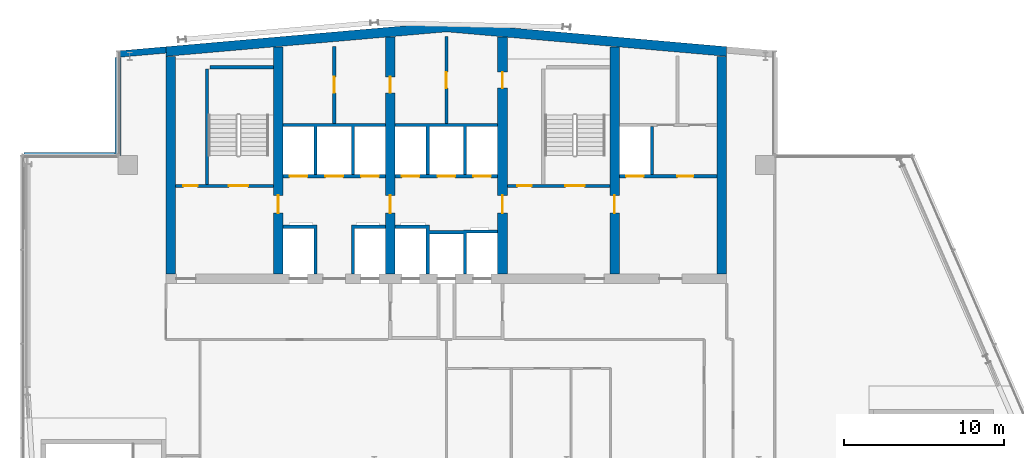
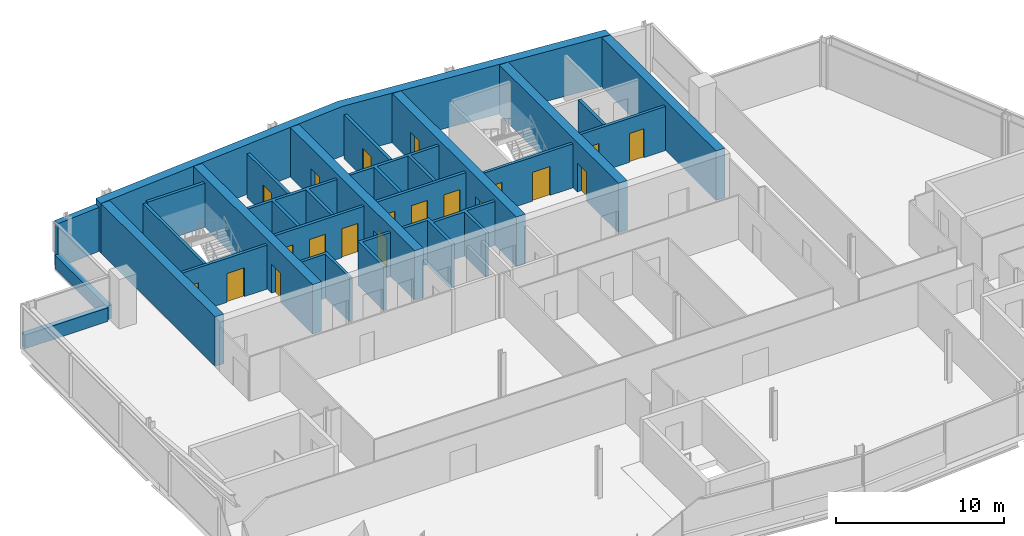
# One storey, part 16 of 19: 25 walls, 20 doors, 20 openings.
"""IFC4 building model written with IfcOpenShell, lengths in metres."""

import ifcopenshell
import ifcopenshell.guid

model = None  # the IFC model being written
_history = None  # IfcOwnerHistory: only IFC2X3 demands one
_inside = {}  # id of a spatial element -> (the spatial element, [elements in it])
_under = {}  # id of a project, library or spatial element -> (it, [spatial elements below it])
_declared = {}  # id of a project -> (the project, [libraries it declares])
_typed = {}  # id of a type object -> (the type object, [elements of that type])
_made_of = {}  # id of a material, layer set ... -> (it, [elements and type objects made of it])


def new_model(schema):
    """Start an empty IFC model of exactly this schema.

    Asked for "IFC4X3", IfcOpenShell would pick the latest addendum, in which some entities
    have other attributes; the version numbers below select the first issue.
    IFC2X3 requires an IfcOwnerHistory on every rooted entity: one is made here for all.
    """
    global model, _history
    if schema == "IFC4X3":
        model = ifcopenshell.file(schema_version=(4, 3, 0, 0))
    else:
        model = ifcopenshell.file(schema=schema)
    _inside.clear()
    _under.clear()
    _declared.clear()
    _typed.clear()
    _made_of.clear()
    _history = None
    if model.schema == "IFC2X3":
        org = make("IfcOrganization", Name="unknown")
        user = make(
            "IfcPersonAndOrganization",
            ThePerson=make("IfcPerson", FamilyName="unknown"),
            TheOrganization=org,
        )
        app = make(
            "IfcApplication",
            ApplicationDeveloper=org,
            Version="unknown",
            ApplicationFullName="unknown",
            ApplicationIdentifier="unknown",
        )
        _history = make(
            "IfcOwnerHistory",
            OwningUser=user,
            OwningApplication=app,
            ChangeAction="ADDED",
            CreationDate=0,
        )
    return model


def make(cls, **values):
    """One entity of the class cls with the attributes given. An attribute that is None is left unset."""
    return model.create_entity(
        cls, **{name: value for name, value in values.items() if value is not None}
    )


def rooted(cls, **values):
    """An entity with a GlobalId (a new one), such as an element, a storey or a relation."""
    return make(cls, GlobalId=ifcopenshell.guid.new(), OwnerHistory=_history, **values)


def si_unit(unit_type, name, prefix=None):
    """IfcSIUnit, for example si_unit("LENGTHUNIT", "METRE", prefix="MILLI")."""
    return make("IfcSIUnit", UnitType=unit_type, Prefix=prefix, Name=name)


def assignment(units):
    """IfcUnitAssignment: the units of a project."""
    return None if units is None else make("IfcUnitAssignment", Units=units)


def point(xyz):
    """IfcCartesianPoint."""
    return None if xyz is None else make("IfcCartesianPoint", Coordinates=xyz)


def direction(xyz):
    """IfcDirection."""
    return None if xyz is None else make("IfcDirection", DirectionRatios=xyz)


def frame(location, z_axis=None, x_axis=None):
    """IfcAxis2Placement3D, a coordinate frame: its origin and axes. An axis left out is left unset."""
    return make(
        "IfcAxis2Placement3D",
        Location=point(location),
        Axis=direction(z_axis),
        RefDirection=direction(x_axis),
    )


def frame_2d(location, x_axis=None):
    """IfcAxis2Placement2D, a coordinate frame in the plane: its origin and x axis."""
    return make(
        "IfcAxis2Placement2D", Location=point(location), RefDirection=direction(x_axis)
    )


def origin():
    """The frame at (0, 0, 0) with its axes left unset."""
    return frame((0.0, 0.0, 0.0))


def place(relative_to, where):
    """IfcLocalPlacement: puts the frame where relative to a parent placement (None: the world)."""
    return make(
        "IfcLocalPlacement", PlacementRelTo=relative_to, RelativePlacement=where
    )


def context(
    kind, dimensions, precision=None, world=None, true_north=None, identifier=None
):
    """IfcGeometricRepresentationContext, for example the 3D "Model" context."""
    return make(
        "IfcGeometricRepresentationContext",
        ContextIdentifier=identifier,
        ContextType=kind,
        CoordinateSpaceDimension=dimensions,
        Precision=precision,
        WorldCoordinateSystem=world,
        TrueNorth=true_north,
    )


def subcontext(parent, identifier, kind, view, scale=None):
    """IfcGeometricRepresentationSubContext, for example "Body" below "Model"."""
    return make(
        "IfcGeometricRepresentationSubContext",
        ContextIdentifier=identifier,
        ContextType=kind,
        ParentContext=parent,
        TargetScale=scale,
        TargetView=view,
    )


def project(units=None, contexts=None):
    """IfcProject with its units and contexts."""
    return rooted(
        "IfcProject",
        Name="project",
        RepresentationContexts=contexts,
        UnitsInContext=assignment(units),
    )


def spatial(cls, under=None, at=None, **own):
    """A site, building, storey or space (cls), placed at a placement, below another one or the project."""
    s = rooted(cls, ObjectPlacement=at, **own)
    if under is not None:
        _under.setdefault(under.id(), (under, []))[1].append(s)
    return s


def polyline(points):
    """IfcPolyline through the points."""
    return make("IfcPolyline", Points=[point(p) for p in points])


def profile(cls, at=None, kind="AREA", **sizes):
    """A parametric profile (cls). Its sizes go by their IFC names, for example OverallWidth=200.0."""
    return make(cls, ProfileType=kind, Position=at, **sizes)


def rectangle(**sizes):
    """IfcRectangleProfileDef."""
    return profile("IfcRectangleProfileDef", **sizes)


def outline(outer, holes=None, kind="AREA"):
    """IfcArbitraryClosedProfileDef: a profile drawn as a closed curve; with holes, ...WithVoids."""
    if holes is None:
        return make("IfcArbitraryClosedProfileDef", ProfileType=kind, OuterCurve=outer)
    return make(
        "IfcArbitraryProfileDefWithVoids",
        ProfileType=kind,
        OuterCurve=outer,
        InnerCurves=holes,
    )


def extrude(swept, where, along, depth):
    """IfcExtrudedAreaSolid: the profile swept, set in the frame where, extruded along a direction by depth."""
    return make(
        "IfcExtrudedAreaSolid",
        SweptArea=swept,
        Position=where,
        ExtrudedDirection=direction(along),
        Depth=depth,
    )


def shape(context_of_items, identifier, shape_type, items):
    """IfcShapeRepresentation: the items that make up one representation, for example the "Body"."""
    return make(
        "IfcShapeRepresentation",
        ContextOfItems=context_of_items,
        RepresentationIdentifier=identifier,
        RepresentationType=shape_type,
        Items=items,
    )


def material(Name=None, Category=None):
    """IfcMaterial."""
    return make("IfcMaterial", Name=Name, Category=Category)


def layer(
    of_material, thickness, ventilated=None, Name=None, Category=None, Priority=None
):
    """IfcMaterialLayer: one layer of a wall or slab, of a material (None: an air gap)."""
    return make(
        "IfcMaterialLayer",
        Material=of_material,
        LayerThickness=thickness,
        IsVentilated=ventilated,
        Name=Name,
        Category=Category,
        Priority=Priority,
    )


def layer_set(layers, Name=None):
    """IfcMaterialLayerSet."""
    return make("IfcMaterialLayerSet", MaterialLayers=layers, LayerSetName=Name)


def made_of(thing, what):
    """Note that an element or type object is made of a material, layer set ...; save() writes the relation."""
    if what is not None:
        _made_of.setdefault(what.id(), (what, []))[1].append(thing)
    return thing


def type_object(cls, material=None, **own):
    """A type object (cls), such as IfcWallType, which elements share."""
    return made_of(rooted(cls, **own), material)


def element(
    cls,
    number,
    at=None,
    inside=None,
    cuts=None,
    type_object=None,
    material=None,
    context=None,
    identifier="Body",
    shape_type=None,
    held_by="IfcProductDefinitionShape",
    body=None,
    shapes=None,
    **own,
):
    """One element of the class cls, such as IfcWall. Its Tag is "e" and its number.

    at: its placement. inside: the storey or other place that contains it. cuts: it is an
    opening in that element (IfcRelVoidsElement). A single representation is given by context,
    identifier, shape_type and body (its items); several are given by shapes. held_by: the class
    of the entity that holds the representations. save() writes the other relations.
    """
    e = rooted(cls, Tag="e%d" % number, ObjectPlacement=at, **own)
    if body is not None:
        shapes = [shape(context, identifier, shape_type, body)]
    if shapes is not None:
        e.Representation = make(held_by, Representations=shapes)
    if inside is not None:
        _inside.setdefault(inside.id(), (inside, []))[1].append(e)
    if cuts is not None:
        rooted(
            "IfcRelVoidsElement", RelatingBuildingElement=cuts, RelatedOpeningElement=e
        )
    if type_object is not None:
        _typed.setdefault(type_object.id(), (type_object, []))[1].append(e)
    return made_of(e, material)


def fill(opening, filler):
    """IfcRelFillsElement: the door or window that sits in an opening."""
    return rooted(
        "IfcRelFillsElement",
        RelatingOpeningElement=opening,
        RelatedBuildingElement=filler,
    )


def aggregate(whole, parts):
    """IfcRelAggregates: a whole, such as a stair, and the parts it consists of."""
    return rooted("IfcRelAggregates", RelatingObject=whole, RelatedObjects=parts)


def save(model, path):
    """Write the relations noted so far, then the file.

    IfcRelAggregates (storeys below a building ...), IfcRelContainedInSpatialStructure (elements
    in a storey), IfcRelDefinesByType, IfcRelAssociatesMaterial and IfcRelDeclares: one each for
    every whole, place, type object, material and project.
    """
    for whole, parts in _under.values():
        aggregate(whole, parts)
    for where, things in _inside.values():
        rooted(
            "IfcRelContainedInSpatialStructure",
            RelatedElements=things,
            RelatingStructure=where,
        )
    for kind, things in _typed.values():
        rooted("IfcRelDefinesByType", RelatedObjects=things, RelatingType=kind)
    for what, things in _made_of.values():
        rooted("IfcRelAssociatesMaterial", RelatedObjects=things, RelatingMaterial=what)
    for by, libraries in _declared.values():
        rooted("IfcRelDeclares", RelatingContext=by, RelatedDefinitions=libraries)
    model.write(path)


model = new_model("IFC4")

# Units and contexts
model_context = context("Model", 3, precision=1e-05, world=origin(), true_north=direction((0.0, 1.0)))
body_context = subcontext(model_context, "Body", "Model", "MODEL_VIEW")
ifc_project = project(units=[si_unit("LENGTHUNIT", "METRE"), si_unit("AREAUNIT", "SQUARE_METRE"), si_unit("VOLUMEUNIT", "CUBIC_METRE"), si_unit("PLANEANGLEUNIT", "RADIAN"), si_unit("MASSUNIT", "GRAM", prefix="KILO")], contexts=[model_context])

# Site, building, storey
site_placement = place(None, origin())
site = spatial("IfcSite", under=ifc_project, at=site_placement, CompositionType="ELEMENT")
building_placement = place(site_placement, origin())
building = spatial("IfcBuilding", under=site, at=building_placement, Name="Wharfspan Tower", CompositionType="ELEMENT")
storey_placement = place(building_placement, frame((0.0, 0.0, 257.5)))
storey = spatial("IfcBuildingStorey", under=building, at=storey_placement, Name="L65", CompositionType="ELEMENT", Elevation=257.5)

# Wall, opening, door
ifc_material_1 = material(Name="Calcium silicate masonry", Category="masonry")
ifc_layer_1 = layer(ifc_material_1, 0.199951)
ifc_layer_set_1 = layer_set([ifc_layer_1], Name="Calcium silicate masonry")
wall_type_1 = type_object("IfcWallType", Name="Core room wall 200", PredefinedType="PARTITIONING", material=ifc_layer_set_1)
wall_1_placement = place(storey_placement, frame((33.5, 44.0, 0.0), z_axis=(0.0, 0.0, 1.0), x_axis=(0.0, 1.0, 0.0)))
wall_1 = element("IfcWall", 1, at=wall_1_placement, inside=storey, type_object=wall_type_1, Name="sw:L65:RP3.1", PredefinedType="PARTITIONING", context=body_context, shape_type="SweptSolid", body=[
    extrude(rectangle(XDim=4.803711, YDim=0.199951, at=frame_2d((2.401855, 0.0))), origin(), (0.0, 0.0, 1.0), 3.199951),
])
opening_1_placement = place(wall_1_placement, frame((1.901855, 0.0, 0.0)))
opening_1 = element("IfcOpeningElement", 2, at=opening_1_placement, cuts=wall_1, Name="Opening CD65.3P1", PredefinedType="OPENING", context=body_context, shape_type="SweptSolid", body=[
    extrude(rectangle(XDim=1.0, YDim=2.100098, at=frame_2d((0.5, 1.050049))), frame((0.0, 0.109863, 0.0), z_axis=(0.0, -1.0, 0.0), x_axis=(1.0, 0.0, 0.0)), (0.0, 0.0, 1.0), 0.219971),
])
ifc_material_2 = material(Name="Steel door leaf", Category="steel")
door_type_1 = type_object("IfcDoorType", Name="Core room door 1000x2100", OperationType="SINGLE_SWING_LEFT", PredefinedType="DOOR", material=ifc_material_2)
door_1_placement = place(opening_1_placement, origin())
door_1 = element("IfcDoor", 3, at=door_1_placement, inside=storey, type_object=door_type_1, Name="d:L65:3:rp1", OperationType="SINGLE_SWING_LEFT", OverallHeight=2.100098, OverallWidth=1.0, PredefinedType="DOOR", context=body_context, shape_type="SweptSolid", body=[
    extrude(rectangle(XDim=1.0, YDim=2.100098, at=frame_2d((0.5, 1.050049))), frame((0.0, 0.024902, 0.0), z_axis=(0.0, -1.0, 0.0), x_axis=(1.0, 0.0, 0.0)), (0.0, 0.0, 1.0), 0.050049),
])
fill(opening_1, door_1)

wall_2_placement = place(storey_placement, frame((40.5, 44.0, 0.0), z_axis=(0.0, 0.0, 1.0), x_axis=(0.0, 1.0, 0.0)))
wall_2 = element("IfcWall", 4, at=wall_2_placement, inside=storey, type_object=wall_type_1, Name="sw:L65:RP4.1", PredefinedType="PARTITIONING", context=body_context, shape_type="SweptSolid", body=[
    extrude(rectangle(XDim=5.41626, YDim=0.199951, at=frame_2d((2.708008, 0.0))), origin(), (0.0, 0.0, 1.0), 3.199951),
])
opening_2_placement = place(wall_2_placement, frame((2.208008, 0.0, 0.0)))
opening_2 = element("IfcOpeningElement", 5, at=opening_2_placement, cuts=wall_2, Name="Opening CD65.4P1", PredefinedType="OPENING", context=body_context, shape_type="SweptSolid", body=[
    extrude(rectangle(XDim=1.0, YDim=2.100098, at=frame_2d((0.5, 1.050049))), frame((0.0, 0.109863, 0.0), z_axis=(0.0, -1.0, 0.0), x_axis=(1.0, 0.0, 0.0)), (0.0, 0.0, 1.0), 0.219971),
])
door_2_placement = place(opening_2_placement, origin())
door_2 = element("IfcDoor", 6, at=door_2_placement, inside=storey, type_object=door_type_1, Name="d:L65:4:rp1", OperationType="SINGLE_SWING_LEFT", OverallHeight=2.100098, OverallWidth=1.0, PredefinedType="DOOR", context=body_context, shape_type="SweptSolid", body=[
    extrude(rectangle(XDim=1.0, YDim=2.100098, at=frame_2d((0.5, 1.050049))), frame((0.0, 0.024902, 0.0), z_axis=(0.0, -1.0, 0.0), x_axis=(1.0, 0.0, 0.0)), (0.0, 0.0, 1.0), 0.050049),
])
fill(opening_2, door_2)

# Walls
ifc_material_3 = material(Name="Concrete C50/60", Category="concrete")
ifc_layer_2 = layer(ifc_material_3, 0.600098)
ifc_layer_set_2 = layer_set([ifc_layer_2], Name="Concrete C50/60")
wall_type_2 = type_object("IfcWallType", Name="Core wall 600 C50/60", PredefinedType="SHEAR", material=ifc_layer_set_2)
wall_3_placement = place(storey_placement, origin())
element("IfcWall", 7, at=wall_3_placement, inside=storey, type_object=wall_type_2, Name="Core rear wall L65", PredefinedType="SHEAR", context=body_context, shape_type="SweptSolid", body=[
    extrude(outline(polyline([(23.0, 48.185059), (40.5, 49.716064), (58.0, 48.185059), (58.0, 48.787354), (40.5, 50.318359), (23.0, 48.787354), (23.0, 48.185059)])), origin(), (0.0, 0.0, 1.0), 3.600098),
])
wall_4_placement = place(storey_placement, frame((23.300049, 34.600098, 0.0), z_axis=(0.0, 0.0, 1.0), x_axis=(0.0, 1.0, 0.0)))
element("IfcWall", 8, at=wall_4_placement, inside=storey, type_object=wall_type_2, Name="Core cross wall EW0 L65", PredefinedType="SHEAR", context=body_context, shape_type="SweptSolid", body=[
    extrude(rectangle(XDim=13.584961, YDim=0.600098, at=frame_2d((6.79248, 0.0))), origin(), (0.0, 0.0, 1.0), 3.600098),
])

# Wall, opening, door
wall_5_placement = place(storey_placement, frame((30.0, 34.600098, 0.0), z_axis=(0.0, 0.0, 1.0), x_axis=(0.0, 1.0, 0.0)))
wall_5 = element("IfcWall", 9, at=wall_5_placement, inside=storey, type_object=wall_type_2, Name="Core cross wall X3 L65", PredefinedType="SHEAR", context=body_context, shape_type="SweptSolid", body=[
    extrude(rectangle(XDim=14.171143, YDim=0.600098, at=frame_2d((7.085449, 0.0))), origin(), (0.0, 0.0, 1.0), 3.600098),
])
opening_3_placement = place(wall_5_placement, frame((3.800049, 0.0, 0.0)))
opening_3 = element("IfcOpeningElement", 10, at=opening_3_placement, cuts=wall_5, Name="Opening CC65.3", PredefinedType="OPENING", context=body_context, shape_type="SweptSolid", body=[
    extrude(rectangle(XDim=1.100098, YDim=2.100098, at=frame_2d((0.550049, 1.050049))), frame((0.0, 0.310059, 0.0), z_axis=(0.0, -1.0, 0.0), x_axis=(1.0, 0.0, 0.0)), (0.0, 0.0, 1.0), 0.620117),
])
door_type_2 = type_object("IfcDoorType", Name="Core corridor door 1100x2100", OperationType="SINGLE_SWING_LEFT", PredefinedType="DOOR", material=ifc_material_2)
door_3_placement = place(opening_3_placement, origin())
door_3 = element("IfcDoor", 11, at=door_3_placement, inside=storey, type_object=door_type_2, Name="xd:L65:3", OperationType="SINGLE_SWING_LEFT", OverallHeight=2.100098, OverallWidth=1.100098, PredefinedType="DOOR", context=body_context, shape_type="SweptSolid", body=[
    extrude(rectangle(XDim=1.100098, YDim=2.100098, at=frame_2d((0.550049, 1.050049))), frame((0.0, 0.024902, 0.0), z_axis=(0.0, -1.0, 0.0), x_axis=(1.0, 0.0, 0.0)), (0.0, 0.0, 1.0), 0.050049),
])
fill(opening_3, door_3)

# Wall, openings, doors
wall_6_placement = place(storey_placement, frame((37.0, 34.600098, 0.0), z_axis=(0.0, 0.0, 1.0), x_axis=(0.0, 1.0, 0.0)))
wall_6 = element("IfcWall", 12, at=wall_6_placement, inside=storey, type_object=wall_type_2, Name="Core cross wall X4 L65", PredefinedType="SHEAR", context=body_context, shape_type="SweptSolid", body=[
    extrude(rectangle(XDim=14.783691, YDim=0.600098, at=frame_2d((7.391846, 0.0))), origin(), (0.0, 0.0, 1.0), 3.600098),
])
opening_4_placement = place(wall_6_placement, frame((11.302002, 0.0, 0.0)))
opening_4 = element("IfcOpeningElement", 13, at=opening_4_placement, cuts=wall_6, Name="Opening CD65.3X", PredefinedType="OPENING", context=body_context, shape_type="SweptSolid", body=[
    extrude(rectangle(XDim=1.0, YDim=2.100098, at=frame_2d((0.5, 1.050049))), frame((0.0, 0.310059, 0.0), z_axis=(0.0, -1.0, 0.0), x_axis=(1.0, 0.0, 0.0)), (0.0, 0.0, 1.0), 0.620117),
])
opening_5_placement = place(wall_6_placement, frame((3.800049, 0.0, 0.0)))
opening_5 = element("IfcOpeningElement", 14, at=opening_5_placement, cuts=wall_6, Name="Opening CC65.4", PredefinedType="OPENING", context=body_context, shape_type="SweptSolid", body=[
    extrude(rectangle(XDim=1.100098, YDim=2.100098, at=frame_2d((0.550049, 1.050049))), frame((0.0, 0.310059, 0.0), z_axis=(0.0, -1.0, 0.0), x_axis=(1.0, 0.0, 0.0)), (0.0, 0.0, 1.0), 0.620117),
])
door_4_placement = place(opening_5_placement, origin())
door_4 = element("IfcDoor", 15, at=door_4_placement, inside=storey, type_object=door_type_2, Name="xd:L65:4", OperationType="SINGLE_SWING_RIGHT", OverallHeight=2.100098, OverallWidth=1.100098, PredefinedType="DOOR", context=body_context, shape_type="SweptSolid", body=[
    extrude(rectangle(XDim=1.100098, YDim=2.100098, at=frame_2d((0.550049, 1.050049))), frame((0.0, 0.024902, 0.0), z_axis=(0.0, -1.0, 0.0), x_axis=(1.0, 0.0, 0.0)), (0.0, 0.0, 1.0), 0.050049),
])
fill(opening_5, door_4)
door_5_placement = place(opening_4_placement, origin())
door_5 = element("IfcDoor", 16, at=door_5_placement, inside=storey, type_object=door_type_1, Name="d:L65:3:sx", OperationType="SINGLE_SWING_LEFT", OverallHeight=2.100098, OverallWidth=1.0, PredefinedType="DOOR", context=body_context, shape_type="SweptSolid", body=[
    extrude(rectangle(XDim=1.0, YDim=2.100098, at=frame_2d((0.5, 1.050049))), frame((0.0, 0.024902, 0.0), z_axis=(0.0, -1.0, 0.0), x_axis=(1.0, 0.0, 0.0)), (0.0, 0.0, 1.0), 0.050049),
])
fill(opening_4, door_5)

wall_7_placement = place(storey_placement, frame((44.0, 34.600098, 0.0), z_axis=(0.0, 0.0, 1.0), x_axis=(0.0, 1.0, 0.0)))
wall_7 = element("IfcWall", 17, at=wall_7_placement, inside=storey, type_object=wall_type_2, Name="Core cross wall X5 L65", PredefinedType="SHEAR", context=body_context, shape_type="SweptSolid", body=[
    extrude(rectangle(XDim=14.783691, YDim=0.600098, at=frame_2d((7.391846, 0.0))), origin(), (0.0, 0.0, 1.0), 3.600098),
])
opening_6_placement = place(wall_7_placement, frame((11.608154, 0.0, 0.0)))
opening_6 = element("IfcOpeningElement", 18, at=opening_6_placement, cuts=wall_7, Name="Opening CD65.4X", PredefinedType="OPENING", context=body_context, shape_type="SweptSolid", body=[
    extrude(rectangle(XDim=1.0, YDim=2.100098, at=frame_2d((0.5, 1.050049))), frame((0.0, 0.310059, 0.0), z_axis=(0.0, -1.0, 0.0), x_axis=(1.0, 0.0, 0.0)), (0.0, 0.0, 1.0), 0.620117),
])
opening_7_placement = place(wall_7_placement, frame((3.800049, 0.0, 0.0)))
opening_7 = element("IfcOpeningElement", 19, at=opening_7_placement, cuts=wall_7, Name="Opening CC65.5", PredefinedType="OPENING", context=body_context, shape_type="SweptSolid", body=[
    extrude(rectangle(XDim=1.100098, YDim=2.100098, at=frame_2d((0.550049, 1.050049))), frame((0.0, 0.310059, 0.0), z_axis=(0.0, -1.0, 0.0), x_axis=(1.0, 0.0, 0.0)), (0.0, 0.0, 1.0), 0.620117),
])
door_6_placement = place(opening_7_placement, origin())
door_6 = element("IfcDoor", 20, at=door_6_placement, inside=storey, type_object=door_type_2, Name="xd:L65:5", OperationType="SINGLE_SWING_LEFT", OverallHeight=2.100098, OverallWidth=1.100098, PredefinedType="DOOR", context=body_context, shape_type="SweptSolid", body=[
    extrude(rectangle(XDim=1.100098, YDim=2.100098, at=frame_2d((0.550049, 1.050049))), frame((0.0, 0.024902, 0.0), z_axis=(0.0, -1.0, 0.0), x_axis=(1.0, 0.0, 0.0)), (0.0, 0.0, 1.0), 0.050049),
])
fill(opening_7, door_6)
door_7_placement = place(opening_6_placement, origin())
door_7 = element("IfcDoor", 21, at=door_7_placement, inside=storey, type_object=door_type_1, Name="d:L65:4:sx", OperationType="SINGLE_SWING_LEFT", OverallHeight=2.100098, OverallWidth=1.0, PredefinedType="DOOR", context=body_context, shape_type="SweptSolid", body=[
    extrude(rectangle(XDim=1.0, YDim=2.100098, at=frame_2d((0.5, 1.050049))), frame((0.0, 0.024902, 0.0), z_axis=(0.0, -1.0, 0.0), x_axis=(1.0, 0.0, 0.0)), (0.0, 0.0, 1.0), 0.050049),
])
fill(opening_6, door_7)

# Wall, opening, door
wall_8_placement = place(storey_placement, frame((51.0, 34.600098, 0.0), z_axis=(0.0, 0.0, 1.0), x_axis=(0.0, 1.0, 0.0)))
wall_8 = element("IfcWall", 22, at=wall_8_placement, inside=storey, type_object=wall_type_2, Name="Core cross wall X6 L65", PredefinedType="SHEAR", context=body_context, shape_type="SweptSolid", body=[
    extrude(rectangle(XDim=14.171143, YDim=0.600098, at=frame_2d((7.085449, 0.0))), origin(), (0.0, 0.0, 1.0), 3.600098),
])
opening_8_placement = place(wall_8_placement, frame((3.800049, 0.0, 0.0)))
opening_8 = element("IfcOpeningElement", 23, at=opening_8_placement, cuts=wall_8, Name="Opening CC65.6", PredefinedType="OPENING", context=body_context, shape_type="SweptSolid", body=[
    extrude(rectangle(XDim=1.100098, YDim=2.100098, at=frame_2d((0.550049, 1.050049))), frame((0.0, 0.310059, 0.0), z_axis=(0.0, -1.0, 0.0), x_axis=(1.0, 0.0, 0.0)), (0.0, 0.0, 1.0), 0.620117),
])
door_8_placement = place(opening_8_placement, origin())
door_8 = element("IfcDoor", 24, at=door_8_placement, inside=storey, type_object=door_type_2, Name="xd:L65:6", OperationType="SINGLE_SWING_RIGHT", OverallHeight=2.100098, OverallWidth=1.100098, PredefinedType="DOOR", context=body_context, shape_type="SweptSolid", body=[
    extrude(rectangle(XDim=1.100098, YDim=2.100098, at=frame_2d((0.550049, 1.050049))), frame((0.0, 0.024902, 0.0), z_axis=(0.0, -1.0, 0.0), x_axis=(1.0, 0.0, 0.0)), (0.0, 0.0, 1.0), 0.050049),
])
fill(opening_8, door_8)

# Wall
wall_9_placement = place(storey_placement, frame((57.699951, 34.600098, 0.0), z_axis=(0.0, 0.0, 1.0), x_axis=(0.0, 1.0, 0.0)))
element("IfcWall", 25, at=wall_9_placement, inside=storey, type_object=wall_type_2, Name="Core cross wall EW1 L65", PredefinedType="SHEAR", context=body_context, shape_type="SweptSolid", body=[
    extrude(rectangle(XDim=13.584961, YDim=0.600098, at=frame_2d((6.79248, 0.0))), origin(), (0.0, 0.0, 1.0), 3.600098),
])

# Wall, openings, doors
ifc_material_4 = material(Name="Concrete C30/37", Category="concrete")
ifc_layer_3 = layer(ifc_material_4, 0.199951)
ifc_layer_set_3 = layer_set([ifc_layer_3], Name="Concrete C30/37")
wall_type_3 = type_object("IfcWallType", Name="Lift shaft wall 200", PredefinedType="PARTITIONING", material=ifc_layer_set_3)
wall_10_placement = place(storey_placement, frame((30.300049, 40.699951, 0.0), z_axis=(0.0, 0.0, 1.0), x_axis=(1.0, 0.0, 0.0)))
wall_10 = element("IfcWall", 26, at=wall_10_placement, inside=storey, type_object=wall_type_3, Name="sw:L65:RF3", PredefinedType="PARTITIONING", context=body_context, shape_type="SweptSolid", body=[
    extrude(rectangle(XDim=6.399902, YDim=0.199951, at=frame_2d((3.199951, 0.0))), origin(), (0.0, 0.0, 1.0), 3.199951),
])
opening_9_placement = place(wall_10_placement, frame((0.416748, 0.0, 0.0)))
opening_9 = element("IfcOpeningElement", 27, at=opening_9_placement, cuts=wall_10, Name="Opening LD.LB1.L65", PredefinedType="OPENING", context=body_context, shape_type="SweptSolid", body=[
    extrude(rectangle(XDim=1.100098, YDim=2.100098, at=frame_2d((0.550049, 1.050049))), frame((0.0, 0.109863, 0.0), z_axis=(0.0, -1.0, 0.0), x_axis=(1.0, 0.0, 0.0)), (0.0, 0.0, 1.0), 0.219971),
])
opening_10_placement = place(wall_10_placement, frame((2.649902, 0.0, 0.0)))
opening_10 = element("IfcOpeningElement", 28, at=opening_10_placement, cuts=wall_10, Name="Opening LD.LB2.L65", PredefinedType="OPENING", context=body_context, shape_type="SweptSolid", body=[
    extrude(rectangle(XDim=1.100098, YDim=2.100098, at=frame_2d((0.550049, 1.050049))), frame((0.0, 0.109863, 0.0), z_axis=(0.0, -1.0, 0.0), x_axis=(1.0, 0.0, 0.0)), (0.0, 0.0, 1.0), 0.219971),
])
opening_11_placement = place(wall_10_placement, frame((4.883301, 0.0, 0.0)))
opening_11 = element("IfcOpeningElement", 29, at=opening_11_placement, cuts=wall_10, Name="Opening LD.LB3.L65", PredefinedType="OPENING", context=body_context, shape_type="SweptSolid", body=[
    extrude(rectangle(XDim=1.100098, YDim=2.100098, at=frame_2d((0.550049, 1.050049))), frame((0.0, 0.109863, 0.0), z_axis=(0.0, -1.0, 0.0), x_axis=(1.0, 0.0, 0.0)), (0.0, 0.0, 1.0), 0.219971),
])
ifc_material_5 = material(Name="Stainless steel", Category="steel")
door_type_3 = type_object("IfcDoorType", Name="Lift landing door 1100x2100", OperationType="DOUBLE_DOOR_SLIDING", PredefinedType="DOOR", material=ifc_material_5)
door_9_placement = place(opening_9_placement, origin())
door_9 = element("IfcDoor", 30, at=door_9_placement, inside=storey, type_object=door_type_3, Name="Landing door LB1 L65", OperationType="DOUBLE_DOOR_SLIDING", OverallHeight=2.100098, OverallWidth=1.100098, PredefinedType="DOOR", context=body_context, shape_type="SweptSolid", body=[
    extrude(rectangle(XDim=1.100098, YDim=2.100098, at=frame_2d((0.550049, 1.050049))), frame((0.0, 0.024902, 0.0), z_axis=(0.0, -1.0, 0.0), x_axis=(1.0, 0.0, 0.0)), (0.0, 0.0, 1.0), 0.050049),
])
fill(opening_9, door_9)
door_10_placement = place(opening_10_placement, origin())
door_10 = element("IfcDoor", 31, at=door_10_placement, inside=storey, type_object=door_type_3, Name="Landing door LB2 L65", OperationType="DOUBLE_DOOR_SLIDING", OverallHeight=2.100098, OverallWidth=1.100098, PredefinedType="DOOR", context=body_context, shape_type="SweptSolid", body=[
    extrude(rectangle(XDim=1.100098, YDim=2.100098, at=frame_2d((0.550049, 1.050049))), frame((0.0, 0.024902, 0.0), z_axis=(0.0, -1.0, 0.0), x_axis=(1.0, 0.0, 0.0)), (0.0, 0.0, 1.0), 0.050049),
])
fill(opening_10, door_10)
door_11_placement = place(opening_11_placement, origin())
door_11 = element("IfcDoor", 32, at=door_11_placement, inside=storey, type_object=door_type_3, Name="Landing door LB3 L65", OperationType="DOUBLE_DOOR_SLIDING", OverallHeight=2.100098, OverallWidth=1.100098, PredefinedType="DOOR", context=body_context, shape_type="SweptSolid", body=[
    extrude(rectangle(XDim=1.100098, YDim=2.100098, at=frame_2d((0.550049, 1.050049))), frame((0.0, 0.024902, 0.0), z_axis=(0.0, -1.0, 0.0), x_axis=(1.0, 0.0, 0.0)), (0.0, 0.0, 1.0), 0.050049),
])
fill(opening_11, door_11)

# Walls
wall_11_placement = place(storey_placement, frame((0.0, 0.0, -0.000244)))
element("IfcWall", 33, at=wall_11_placement, inside=storey, type_object=wall_type_3, Name="sw:L65:FM3.0", PredefinedType="PARTITIONING", context=body_context, shape_type="SweptSolid", body=[
    extrude(outline(polyline([(32.233398, 37.449951), (30.300049, 37.449951), (30.300049, 37.649902), (32.233398, 37.649902), (32.43335, 37.649902), (32.43335, 34.600098), (32.233398, 34.600098), (32.233398, 37.449951)])), origin(), (0.0, 0.0, 1.0), 3.200195),
])
wall_12_placement = place(storey_placement, frame((0.0, 0.0, -0.000244)))
element("IfcWall", 34, at=wall_12_placement, inside=storey, type_object=wall_type_3, Name="sw:L65:FM3.1", PredefinedType="PARTITIONING", context=body_context, shape_type="SweptSolid", body=[
    extrude(outline(polyline([(34.56665, 37.649902), (34.766602, 37.649902), (36.699951, 37.649902), (36.699951, 37.449951), (34.766602, 37.449951), (34.766602, 34.600098), (34.56665, 34.600098), (34.56665, 37.649902)])), origin(), (0.0, 0.0, 1.0), 3.200195),
])
wall_13_placement = place(storey_placement, frame((0.0, 0.0, -0.000244)))
element("IfcWall", 35, at=wall_13_placement, inside=storey, type_object=wall_type_3, Name="sw:L65:RM3.0", PredefinedType="PARTITIONING", context=body_context, shape_type="SweptSolid", body=[
    extrude(outline(polyline([(32.43335, 40.800049), (32.233398, 40.800049), (32.233398, 43.800049), (30.300049, 43.800049), (30.300049, 44.0), (36.699951, 44.0), (36.699951, 43.800049), (34.766602, 43.800049), (34.766602, 40.800049), (34.56665, 40.800049), (34.56665, 43.800049), (32.43335, 43.800049), (32.43335, 40.800049)])), origin(), (0.0, 0.0, 1.0), 3.200195),
])

# Wall, openings, doors
wall_14_placement = place(storey_placement, frame((37.300049, 40.699951, 0.0), z_axis=(0.0, 0.0, 1.0), x_axis=(1.0, 0.0, 0.0)))
wall_14 = element("IfcWall", 36, at=wall_14_placement, inside=storey, type_object=wall_type_3, Name="sw:L65:RF4", PredefinedType="PARTITIONING", context=body_context, shape_type="SweptSolid", body=[
    extrude(rectangle(XDim=6.399902, YDim=0.199951, at=frame_2d((3.199951, 0.0))), origin(), (0.0, 0.0, 1.0), 3.199951),
])
opening_12_placement = place(wall_14_placement, frame((0.416748, 0.0, 0.0)))
opening_12 = element("IfcOpeningElement", 37, at=opening_12_placement, cuts=wall_14, Name="Opening LD.LB4.L65", PredefinedType="OPENING", context=body_context, shape_type="SweptSolid", body=[
    extrude(rectangle(XDim=1.100098, YDim=2.100098, at=frame_2d((0.550049, 1.050049))), frame((0.0, 0.109863, 0.0), z_axis=(0.0, -1.0, 0.0), x_axis=(1.0, 0.0, 0.0)), (0.0, 0.0, 1.0), 0.219971),
])
opening_13_placement = place(wall_14_placement, frame((2.649902, 0.0, 0.0)))
opening_13 = element("IfcOpeningElement", 38, at=opening_13_placement, cuts=wall_14, Name="Opening LD.LB5.L65", PredefinedType="OPENING", context=body_context, shape_type="SweptSolid", body=[
    extrude(rectangle(XDim=1.100098, YDim=2.100098, at=frame_2d((0.550049, 1.050049))), frame((0.0, 0.109863, 0.0), z_axis=(0.0, -1.0, 0.0), x_axis=(1.0, 0.0, 0.0)), (0.0, 0.0, 1.0), 0.219971),
])
opening_14_placement = place(wall_14_placement, frame((4.883301, 0.0, 0.0)))
opening_14 = element("IfcOpeningElement", 39, at=opening_14_placement, cuts=wall_14, Name="Opening LD.LB6.L65", PredefinedType="OPENING", context=body_context, shape_type="SweptSolid", body=[
    extrude(rectangle(XDim=1.100098, YDim=2.100098, at=frame_2d((0.550049, 1.050049))), frame((0.0, 0.109863, 0.0), z_axis=(0.0, -1.0, 0.0), x_axis=(1.0, 0.0, 0.0)), (0.0, 0.0, 1.0), 0.219971),
])
door_12_placement = place(opening_12_placement, origin())
door_12 = element("IfcDoor", 40, at=door_12_placement, inside=storey, type_object=door_type_3, Name="Landing door LB4 L65", OperationType="DOUBLE_DOOR_SLIDING", OverallHeight=2.100098, OverallWidth=1.100098, PredefinedType="DOOR", context=body_context, shape_type="SweptSolid", body=[
    extrude(rectangle(XDim=1.100098, YDim=2.100098, at=frame_2d((0.550049, 1.050049))), frame((0.0, 0.024902, 0.0), z_axis=(0.0, -1.0, 0.0), x_axis=(1.0, 0.0, 0.0)), (0.0, 0.0, 1.0), 0.050049),
])
fill(opening_12, door_12)
door_13_placement = place(opening_13_placement, origin())
door_13 = element("IfcDoor", 41, at=door_13_placement, inside=storey, type_object=door_type_3, Name="Landing door LB5 L65", OperationType="DOUBLE_DOOR_SLIDING", OverallHeight=2.100098, OverallWidth=1.100098, PredefinedType="DOOR", context=body_context, shape_type="SweptSolid", body=[
    extrude(rectangle(XDim=1.100098, YDim=2.100098, at=frame_2d((0.550049, 1.050049))), frame((0.0, 0.024902, 0.0), z_axis=(0.0, -1.0, 0.0), x_axis=(1.0, 0.0, 0.0)), (0.0, 0.0, 1.0), 0.050049),
])
fill(opening_13, door_13)
door_14_placement = place(opening_14_placement, origin())
door_14 = element("IfcDoor", 42, at=door_14_placement, inside=storey, type_object=door_type_3, Name="Landing door LB6 L65", OperationType="DOUBLE_DOOR_SLIDING", OverallHeight=2.100098, OverallWidth=1.100098, PredefinedType="DOOR", context=body_context, shape_type="SweptSolid", body=[
    extrude(rectangle(XDim=1.100098, YDim=2.100098, at=frame_2d((0.550049, 1.050049))), frame((0.0, 0.024902, 0.0), z_axis=(0.0, -1.0, 0.0), x_axis=(1.0, 0.0, 0.0)), (0.0, 0.0, 1.0), 0.050049),
])
fill(opening_14, door_14)

# Walls
wall_15_placement = place(storey_placement, frame((0.0, 0.0, -0.000244)))
element("IfcWall", 43, at=wall_15_placement, inside=storey, type_object=wall_type_3, Name="sw:L65:FM4.0", PredefinedType="PARTITIONING", context=body_context, shape_type="SweptSolid", body=[
    extrude(outline(polyline([(41.56665, 37.100098), (39.43335, 37.100098), (39.43335, 34.600098), (39.233398, 34.600098), (39.233398, 37.449951), (37.300049, 37.449951), (37.300049, 37.649902), (39.233398, 37.649902), (39.43335, 37.649902), (39.43335, 37.300049), (41.56665, 37.300049), (41.56665, 37.350098), (41.766602, 37.350098), (43.699951, 37.350098), (43.699951, 37.149902), (41.766602, 37.149902), (41.766602, 34.600098), (41.56665, 34.600098), (41.56665, 37.100098)])), origin(), (0.0, 0.0, 1.0), 3.200195),
])
wall_16_placement = place(storey_placement, frame((0.0, 0.0, -0.000244)))
element("IfcWall", 44, at=wall_16_placement, inside=storey, type_object=wall_type_3, Name="sw:L65:RM4.0", PredefinedType="PARTITIONING", context=body_context, shape_type="SweptSolid", body=[
    extrude(outline(polyline([(39.43335, 40.800049), (39.233398, 40.800049), (39.233398, 43.800049), (37.300049, 43.800049), (37.300049, 44.0), (43.699951, 44.0), (43.699951, 43.800049), (41.766602, 43.800049), (41.766602, 40.800049), (41.56665, 40.800049), (41.56665, 43.800049), (39.43335, 43.800049), (39.43335, 40.800049)])), origin(), (0.0, 0.0, 1.0), 3.200195),
])

# Wall, openings, doors
wall_17_placement = place(storey_placement, frame((51.300049, 40.699951, 0.0), z_axis=(0.0, 0.0, 1.0), x_axis=(1.0, 0.0, 0.0)))
wall_17 = element("IfcWall", 45, at=wall_17_placement, inside=storey, type_object=wall_type_3, Name="sw:L65:RF6", PredefinedType="PARTITIONING", context=body_context, shape_type="SweptSolid", body=[
    extrude(rectangle(XDim=6.099854, YDim=0.199951, at=frame_2d((3.049805, 0.0))), origin(), (0.0, 0.0, 1.0), 3.199951),
])
opening_15_placement = place(wall_17_placement, frame((0.416748, 0.0, 0.0)))
opening_15 = element("IfcOpeningElement", 46, at=opening_15_placement, cuts=wall_17, Name="Opening LD.LB8.L65", PredefinedType="OPENING", context=body_context, shape_type="SweptSolid", body=[
    extrude(rectangle(XDim=1.100098, YDim=2.100098, at=frame_2d((0.550049, 1.050049))), frame((0.0, 0.109863, 0.0), z_axis=(0.0, -1.0, 0.0), x_axis=(1.0, 0.0, 0.0)), (0.0, 0.0, 1.0), 0.219971),
])
opening_16_placement = place(wall_17_placement, frame((3.616699, 0.0, 0.0)))
opening_16 = element("IfcOpeningElement", 47, at=opening_16_placement, cuts=wall_17, Name="Opening CD65.6R2", PredefinedType="OPENING", context=body_context, shape_type="SweptSolid", body=[
    extrude(rectangle(XDim=1.0, YDim=2.100098, at=frame_2d((0.5, 1.050049))), frame((0.0, 0.109863, 0.0), z_axis=(0.0, -1.0, 0.0), x_axis=(1.0, 0.0, 0.0)), (0.0, 0.0, 1.0), 0.219971),
])
door_15_placement = place(opening_16_placement, origin())
door_15 = element("IfcDoor", 48, at=door_15_placement, inside=storey, type_object=door_type_1, Name="d:L65:6:rd6.2", OperationType="SINGLE_SWING_RIGHT", OverallHeight=2.100098, OverallWidth=1.0, PredefinedType="DOOR", context=body_context, shape_type="SweptSolid", body=[
    extrude(rectangle(XDim=1.0, YDim=2.100098, at=frame_2d((0.5, 1.050049))), frame((0.0, 0.024902, 0.0), z_axis=(0.0, -1.0, 0.0), x_axis=(1.0, 0.0, 0.0)), (0.0, 0.0, 1.0), 0.050049),
])
fill(opening_16, door_15)
door_16_placement = place(opening_15_placement, origin())
door_16 = element("IfcDoor", 49, at=door_16_placement, inside=storey, type_object=door_type_3, Name="Landing door LB8 L65", OperationType="DOUBLE_DOOR_SLIDING", OverallHeight=2.100098, OverallWidth=1.100098, PredefinedType="DOOR", context=body_context, shape_type="SweptSolid", body=[
    extrude(rectangle(XDim=1.100098, YDim=2.100098, at=frame_2d((0.550049, 1.050049))), frame((0.0, 0.024902, 0.0), z_axis=(0.0, -1.0, 0.0), x_axis=(1.0, 0.0, 0.0)), (0.0, 0.0, 1.0), 0.050049),
])
fill(opening_15, door_16)

# Walls
wall_18_placement = place(storey_placement, frame((0.0, 0.0, -0.000244)))
element("IfcWall", 50, at=wall_18_placement, inside=storey, type_object=wall_type_3, Name="sw:L65:RM6.0", PredefinedType="PARTITIONING", context=body_context, shape_type="SweptSolid", body=[
    extrude(outline(polyline([(53.43335, 40.800049), (53.43335, 43.800049), (53.233398, 43.800049), (53.233398, 40.800049), (53.43335, 40.800049)])), origin(), (0.0, 0.0, 1.0), 3.200195),
])
ifc_material_6 = material(Name="Concrete C40/50", Category="concrete")
ifc_layer_4 = layer(ifc_material_6, 0.350098)
ifc_layer_set_4 = layer_set([ifc_layer_4], Name="Concrete C40/50")
wall_type_4 = type_object("IfcWallType", Name="SPANDREL EXPOSED CONCRETE 350", PredefinedType="SOLIDWALL", material=ifc_layer_set_4)
wall_19_placement = place(storey_placement, frame((19.995117, 48.126465, 0.0), z_axis=(0.0, 0.0, 1.0), x_axis=(0.0, -1.0, 0.0)))
element("IfcWall", 51, at=wall_19_placement, inside=storey, type_object=wall_type_4, Name="Spandrel upstand L65 NRW-V", PredefinedType="SOLIDWALL", context=body_context, shape_type="SweptSolid", body=[
    extrude(rectangle(XDim=6.126465, YDim=0.350098, at=frame_2d((3.063232, 0.0))), origin(), (0.0, 0.0, 1.0), 1.0),
])
wall_20_placement = place(storey_placement, frame((19.820068, 42.004883, 0.0), z_axis=(0.0, 0.0, 1.0), x_axis=(-1.0, 0.0, 0.0)))
element("IfcWall", 52, at=wall_20_placement, inside=storey, type_object=wall_type_4, Name="Spandrel upstand L65 NRW-H", PredefinedType="SOLIDWALL", context=body_context, shape_type="SweptSolid", body=[
    extrude(rectangle(XDim=5.699951, YDim=0.350098, at=frame_2d((2.850098, 0.0))), origin(), (0.0, 0.0, 1.0), 1.0),
])

# Wall, openings, doors
ifc_layer_5 = layer(ifc_material_6, 0.199951)
ifc_layer_set_5 = layer_set([ifc_layer_5], Name="Concrete C40/50")
wall_type_5 = type_object("IfcWallType", Name="Stair shaft wall 200", PredefinedType="SHEAR", material=ifc_layer_set_5)
wall_21_placement = place(storey_placement, frame((23.600098, 40.100098, 0.0), z_axis=(0.0, 0.0, 1.0), x_axis=(1.0, 0.0, 0.0)))
wall_21 = element("IfcWall", 53, at=wall_21_placement, inside=storey, type_object=wall_type_5, Name="ST1 stair enclosure wall L65", PredefinedType="SHEAR", context=body_context, shape_type="SweptSolid", body=[
    extrude(rectangle(XDim=6.099854, YDim=0.199951, at=frame_2d((3.049805, 0.0))), origin(), (0.0, 0.0, 1.0), 3.199951),
])
opening_17_placement = place(wall_21_placement, frame((3.324951, 0.0, 0.0)))
opening_17 = element("IfcOpeningElement", 54, at=opening_17_placement, cuts=wall_21, Name="Opening SD2.L65", PredefinedType="OPENING", context=body_context, shape_type="SweptSolid", body=[
    extrude(rectangle(XDim=1.199951, YDim=2.100098, at=frame_2d((0.600098, 1.050049))), frame((0.0, 0.109863, 0.0), z_axis=(0.0, -1.0, 0.0), x_axis=(1.0, 0.0, 0.0)), (0.0, 0.0, 1.0), 0.219971),
])
opening_18_placement = place(wall_21_placement, frame((0.475098, 0.0, 0.0)))
opening_18 = element("IfcOpeningElement", 55, at=opening_18_placement, cuts=wall_21, Name="Opening CD65.2R", PredefinedType="OPENING", context=body_context, shape_type="SweptSolid", body=[
    extrude(rectangle(XDim=0.899902, YDim=2.100098, at=frame_2d((0.449951, 1.050049))), frame((0.0, 0.109863, 0.0), z_axis=(0.0, -1.0, 0.0), x_axis=(1.0, 0.0, 0.0)), (0.0, 0.0, 1.0), 0.219971),
])
door_17_placement = place(opening_18_placement, origin())
door_17 = element("IfcDoor", 56, at=door_17_placement, inside=storey, type_object=door_type_1, Name="rk:L65:2", OperationType="SINGLE_SWING_LEFT", OverallHeight=2.100098, OverallWidth=0.899902, PredefinedType="DOOR", context=body_context, shape_type="SweptSolid", body=[
    extrude(rectangle(XDim=0.899902, YDim=2.100098, at=frame_2d((0.449951, 1.050049))), frame((0.0, 0.024902, 0.0), z_axis=(0.0, -1.0, 0.0), x_axis=(1.0, 0.0, 0.0)), (0.0, 0.0, 1.0), 0.050049),
])
fill(opening_18, door_17)
door_type_4 = type_object("IfcDoorType", Name="Stair door 1200x2100", OperationType="SINGLE_SWING_LEFT", PredefinedType="DOOR", material=ifc_material_2)
door_18_placement = place(opening_17_placement, origin())
door_18 = element("IfcDoor", 57, at=door_18_placement, inside=storey, type_object=door_type_4, Name="sd:L65:2", OperationType="SINGLE_SWING_RIGHT", OverallHeight=2.100098, OverallWidth=1.199951, PredefinedType="DOOR", context=body_context, shape_type="SweptSolid", body=[
    extrude(rectangle(XDim=1.199951, YDim=2.100098, at=frame_2d((0.600098, 1.050049))), frame((0.0, 0.024902, 0.0), z_axis=(0.0, -1.0, 0.0), x_axis=(1.0, 0.0, 0.0)), (0.0, 0.0, 1.0), 0.050049),
])
fill(opening_17, door_18)

# Walls
wall_22_placement = place(storey_placement, frame((25.550049, 40.199951, 0.0), z_axis=(0.0, 0.0, 1.0), x_axis=(0.0, 1.0, 0.0)))
element("IfcWall", 58, at=wall_22_placement, inside=storey, type_object=wall_type_5, Name="ST1 stair enclosure wall L65", PredefinedType="SHEAR", context=body_context, shape_type="SweptSolid", body=[
    extrude(rectangle(XDim=7.199951, YDim=0.199951, at=frame_2d((3.600098, 0.0))), origin(), (0.0, 0.0, 1.0), 3.199951),
])
wall_23_placement = place(storey_placement, frame((25.75, 47.5, 0.0), z_axis=(0.0, 0.0, 1.0), x_axis=(1.0, 0.0, 0.0)))
element("IfcWall", 59, at=wall_23_placement, inside=storey, type_object=wall_type_5, Name="ST1 stair enclosure wall L65", PredefinedType="SHEAR", context=body_context, shape_type="SweptSolid", body=[
    extrude(rectangle(XDim=3.949951, YDim=0.199951, at=frame_2d((1.975098, 0.0))), origin(), (0.0, 0.0, 1.0), 3.199951),
])

# Wall, openings, doors
wall_24_placement = place(storey_placement, frame((44.300049, 40.100098, 0.0), z_axis=(0.0, 0.0, 1.0), x_axis=(1.0, 0.0, 0.0)))
wall_24 = element("IfcWall", 60, at=wall_24_placement, inside=storey, type_object=wall_type_5, Name="ST2 stair enclosure wall L65", PredefinedType="SHEAR", context=body_context, shape_type="SweptSolid", body=[
    extrude(rectangle(XDim=6.399902, YDim=0.199951, at=frame_2d((3.199951, 0.0))), origin(), (0.0, 0.0, 1.0), 3.199951),
])
opening_19_placement = place(wall_24_placement, frame((3.625, 0.0, 0.0)))
opening_19 = element("IfcOpeningElement", 61, at=opening_19_placement, cuts=wall_24, Name="Opening SD5.L65", PredefinedType="OPENING", context=body_context, shape_type="SweptSolid", body=[
    extrude(rectangle(XDim=1.199951, YDim=2.100098, at=frame_2d((0.600098, 1.050049))), frame((0.0, 0.109863, 0.0), z_axis=(0.0, -1.0, 0.0), x_axis=(1.0, 0.0, 0.0)), (0.0, 0.0, 1.0), 0.219971),
])
opening_20_placement = place(wall_24_placement, frame((0.625, 0.0, 0.0)))
opening_20 = element("IfcOpeningElement", 62, at=opening_20_placement, cuts=wall_24, Name="Opening CD65.5R", PredefinedType="OPENING", context=body_context, shape_type="SweptSolid", body=[
    extrude(rectangle(XDim=0.899902, YDim=2.100098, at=frame_2d((0.449951, 1.050049))), frame((0.0, 0.109863, 0.0), z_axis=(0.0, -1.0, 0.0), x_axis=(1.0, 0.0, 0.0)), (0.0, 0.0, 1.0), 0.219971),
])
door_19_placement = place(opening_20_placement, origin())
door_19 = element("IfcDoor", 63, at=door_19_placement, inside=storey, type_object=door_type_1, Name="rk:L65:5", OperationType="SINGLE_SWING_LEFT", OverallHeight=2.100098, OverallWidth=0.899902, PredefinedType="DOOR", context=body_context, shape_type="SweptSolid", body=[
    extrude(rectangle(XDim=0.899902, YDim=2.100098, at=frame_2d((0.449951, 1.050049))), frame((0.0, 0.024902, 0.0), z_axis=(0.0, -1.0, 0.0), x_axis=(1.0, 0.0, 0.0)), (0.0, 0.0, 1.0), 0.050049),
])
fill(opening_20, door_19)
door_20_placement = place(opening_19_placement, origin())
door_20 = element("IfcDoor", 64, at=door_20_placement, inside=storey, type_object=door_type_4, Name="sd:L65:5", OperationType="SINGLE_SWING_RIGHT", OverallHeight=2.100098, OverallWidth=1.199951, PredefinedType="DOOR", context=body_context, shape_type="SweptSolid", body=[
    extrude(rectangle(XDim=1.199951, YDim=2.100098, at=frame_2d((0.600098, 1.050049))), frame((0.0, 0.024902, 0.0), z_axis=(0.0, -1.0, 0.0), x_axis=(1.0, 0.0, 0.0)), (0.0, 0.0, 1.0), 0.050049),
])
fill(opening_19, door_20)

# Wall
ifc_layer_6 = layer(ifc_material_6, 0.399902)
ifc_layer_set_6 = layer_set([ifc_layer_6], Name="Concrete C40/50")
wall_type_6 = type_object("IfcWallType", Name="WALL EXPOSED CONCRETE 400", PredefinedType="SOLIDWALL", material=ifc_layer_set_6)
wall_25_placement = place(storey_placement, frame((23.0, 48.58667, 0.0), z_axis=(0.0, 0.0, 1.0), x_axis=(-0.996194, -0.087168, 0.0)))
element("IfcWall", 65, at=wall_25_placement, inside=storey, type_object=wall_type_6, Name="Rear wall N1", PredefinedType="SOLIDWALL", context=body_context, shape_type="SweptSolid", body=[
    extrude(rectangle(XDim=2.994141, YDim=0.399902, at=frame_2d((1.49707, 0.0))), origin(), (0.0, 0.0, 1.0), 3.199951),
])

save(model, "model.ifc")
